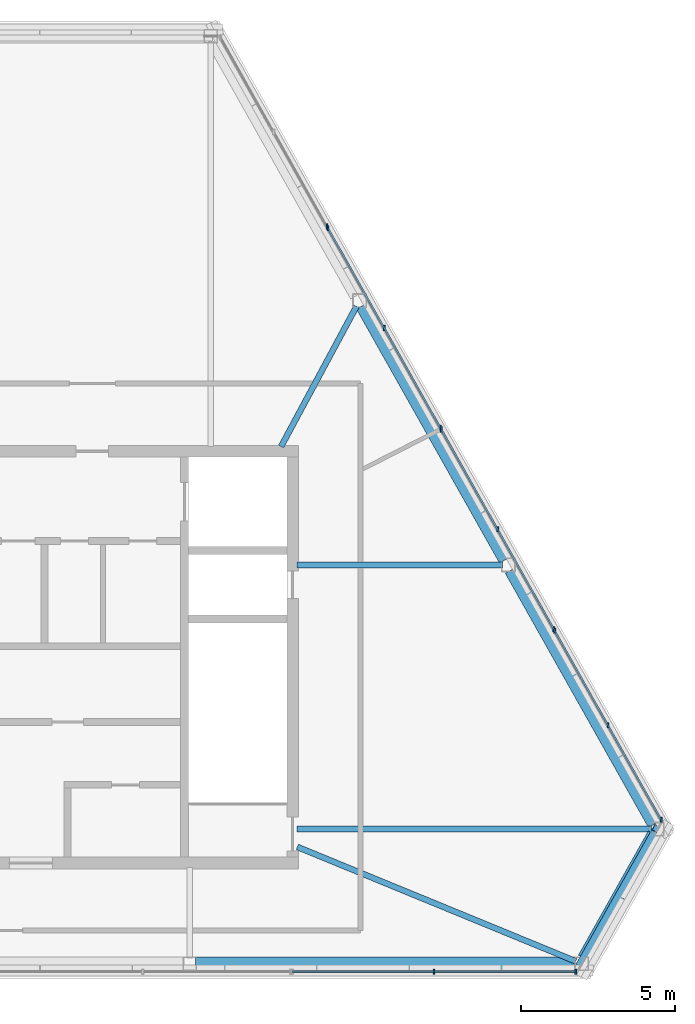
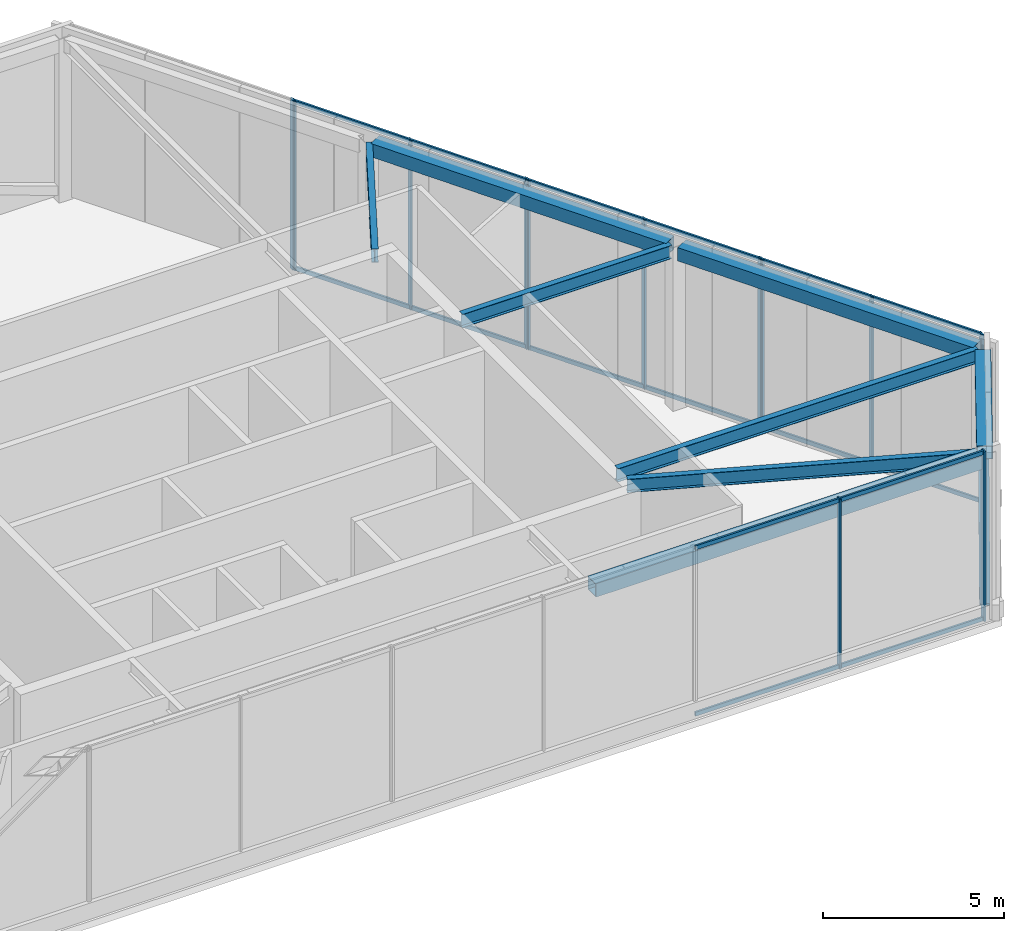
# One storey, part 5 of 11: 21 members, 8 beams, 5 elements without a shape of their own.
"""IFC4 building model written with IfcOpenShell, lengths in metres."""

from ifc_helpers import new_model, si_unit, direction, frame, origin, origin_2d, place, context, subcontext, project, spatial, rectangle, hollow_rectangle, i_section, extrude, material, layer, layer_set, material_profile, profile_set, type_object, element, aggregate, save


model = new_model("IFC4")

# Units and contexts
model_context = context("Model", 3, precision=1e-05, world=origin(), true_north=direction((0.0, 1.0)))
body_context = subcontext(model_context, "Body", "Model", "MODEL_VIEW")
ifc_project = project(units=[si_unit("LENGTHUNIT", "METRE"), si_unit("AREAUNIT", "SQUARE_METRE"), si_unit("VOLUMEUNIT", "CUBIC_METRE"), si_unit("PLANEANGLEUNIT", "RADIAN"), si_unit("MASSUNIT", "GRAM", prefix="KILO")], contexts=[model_context])

# Site, building, storey
site_placement = place(None, origin())
site = spatial("IfcSite", under=ifc_project, at=site_placement, CompositionType="ELEMENT")
building_placement = place(site_placement, origin())
building = spatial("IfcBuilding", under=site, at=building_placement, Name="Kavelnor Concourse Tower", CompositionType="ELEMENT")
storey_placement = place(building_placement, frame((0.0, 0.0, 309.949951171875)))
storey = spatial("IfcBuildingStorey", under=building, at=storey_placement, Name="L78", CompositionType="ELEMENT", Elevation=309.949951171875)

# Beams
ifc_material_1 = material(Name="Steel Grade 350", Category="steel")
ifc_material_profile_1 = material_profile(ifc_material_1, hollow_rectangle(XDim=0.449951171875, YDim=0.449951171875, WallThickness=0.02197265625, at=origin_2d()), Name="RHS 450x450x22")
ifc_profile_set_1 = profile_set([ifc_material_profile_1], Name="Steel Grade 350")
beam_type_1 = type_object("IfcBeamType", Name="BM-CROWN-RING-450", PredefinedType="BEAM", material=ifc_profile_set_1)
beam_1_placement = place(storey_placement, frame((44.556396484375, 6.135009765625, 5.295166015625), z_axis=(1.0, 0.0, 0.0), x_axis=(0.0, 1.0, 0.0)))
element("IfcBeam", 1, at=beam_1_placement, inside=storey, type_object=beam_type_1, Name="L78 Crown Frame Ring Beam 07", PredefinedType="BEAM", context=body_context, shape_type="SweptSolid", body=[
    extrude(hollow_rectangle(XDim=0.449951171875, YDim=0.449951171875, WallThickness=0.02197265625, at=origin_2d()), origin(), (0.0, 0.0, 1.0), 12.353271484375),
])
beam_2_placement = place(storey_placement, frame((57.19287109375, 6.300537109375, 5.295166015625), z_axis=(0.490715989154, 0.871319584302, 0.0), x_axis=(-0.871319584302, 0.490715989154, 0.0)))
element("IfcBeam", 2, at=beam_2_placement, inside=storey, type_object=beam_type_1, Name="L78 Crown Frame Ring Beam 08", PredefinedType="BEAM", context=body_context, shape_type="SweptSolid", body=[
    extrude(hollow_rectangle(XDim=0.449951171875, YDim=0.449951171875, WallThickness=0.02197265625, at=origin_2d()), origin(), (0.0, 0.0, 1.0), 4.638427734375),
])
beam_3_placement = place(storey_placement, frame((59.468994140625, 10.673095703125, 5.295166015625), z_axis=(-0.490736882662, 0.871307817017, 0.0), x_axis=(-0.871307817017, -0.490736882662, 0.0)))
element("IfcBeam", 3, at=beam_3_placement, inside=storey, type_object=beam_type_1, Name="L78 Crown Frame Ring Beam 09", PredefinedType="BEAM", context=body_context, shape_type="SweptSolid", body=[
    extrude(hollow_rectangle(XDim=0.449951171875, YDim=0.449951171875, WallThickness=0.02197265625, at=origin_2d()), origin(), (0.0, 0.0, 1.0), 9.478271484375),
])
beam_4_placement = place(storey_placement, frame((54.63134765625, 19.2626953125, 5.295166015625), z_axis=(-0.490747896448, 0.871301613755, 0.0), x_axis=(-0.871301613755, -0.490747896448, 0.0)))
element("IfcBeam", 4, at=beam_4_placement, inside=storey, type_object=beam_type_1, Name="L78 Crown Frame Ring Beam 10", PredefinedType="BEAM", context=body_context, shape_type="SweptSolid", body=[
    extrude(hollow_rectangle(XDim=0.449951171875, YDim=0.449951171875, WallThickness=0.02197265625, at=origin_2d()), origin(), (0.0, 0.0, 1.0), 9.47802734375),
])
ifc_material_profile_2 = material_profile(ifc_material_1, i_section(OverallWidth=0.18994140625, OverallDepth=0.4541015625, WebThickness=0.008544921875, FlangeThickness=0.0126953125, at=origin_2d()), Name="460UB67")
ifc_profile_set_2 = profile_set([ifc_material_profile_2], Name="Steel Grade 350")
beam_type_2 = type_object("IfcBeamType", Name="BM-PRIMARY-460", PredefinedType="BEAM", material=ifc_profile_set_2)
beam_5_placement = place(storey_placement, frame((47.863037109375, 9.930419921875, 5.29296875), z_axis=(0.924961076242, -0.380061846858, 0.0), x_axis=(0.380061846858, 0.924961076242, 0.0)))
element("IfcBeam", 5, at=beam_5_placement, inside=storey, type_object=beam_type_2, Name="L78 Crown Frame Radial Girder F1B6", PredefinedType="BEAM", context=body_context, shape_type="SweptSolid", body=[
    extrude(i_section(OverallWidth=0.18994140625, OverallDepth=0.4541015625, WebThickness=0.008544921875, FlangeThickness=0.0126953125, at=origin_2d()), origin(), (0.0, 0.0, 1.0), 9.78271484375),
])
beam_6_placement = place(storey_placement, frame((47.860107421875, 10.507568359375, 5.29296875), z_axis=(1.0, 0.0, 0.0), x_axis=(0.0, 1.0, 0.0)))
element("IfcBeam", 6, at=beam_6_placement, inside=storey, type_object=beam_type_2, Name="L78 Crown Frame Radial Girder F2B0", PredefinedType="BEAM", context=body_context, shape_type="SweptSolid", body=[
    extrude(i_section(OverallWidth=0.18994140625, OverallDepth=0.4541015625, WebThickness=0.008544921875, FlangeThickness=0.0126953125, at=origin_2d()), origin(), (0.0, 0.0, 1.0), 11.51708984375),
])
beam_7_placement = place(storey_placement, frame((47.860107421875, 19.09716796875, 5.29296875), z_axis=(1.0, 0.0, 0.0), x_axis=(0.0, 1.0, 0.0)))
element("IfcBeam", 7, at=beam_7_placement, inside=storey, type_object=beam_type_2, Name="L78 Crown Frame Radial Girder F2B2", PredefinedType="BEAM", context=body_context, shape_type="SweptSolid", body=[
    extrude(i_section(OverallWidth=0.18994140625, OverallDepth=0.4541015625, WebThickness=0.008544921875, FlangeThickness=0.0126953125, at=origin_2d()), origin(), (0.0, 0.0, 1.0), 6.679443359375),
])
beam_8_placement = place(storey_placement, frame((47.3359375, 22.94482421875, 5.29296875), z_axis=(0.473747703751, 0.880660611808, 0.0), x_axis=(-0.880660611808, 0.473747703751, 0.0)))
element("IfcBeam", 8, at=beam_8_placement, inside=storey, type_object=beam_type_2, Name="L78 Crown Frame Radial Girder F2B4", PredefinedType="BEAM", context=body_context, shape_type="SweptSolid", body=[
    extrude(i_section(OverallWidth=0.18994140625, OverallDepth=0.4541015625, WebThickness=0.008544921875, FlangeThickness=0.0126953125, at=origin_2d()), origin(), (0.0, 0.0, 1.0), 5.1689453125),
])

# Curtain wall, members
ifc_material_2 = material(Name="Anodised aluminium 6063-T6", Category="aluminium")
ifc_layer = layer(ifc_material_2, 0.1650390625, Name="Anodised aluminium 6063-T6")
ifc_layer_set = layer_set([ifc_layer], Name="Anodised aluminium 6063-T6")
curtain_wall_type = type_object("IfcCurtainWallType", Name="CW-CROWN-SCREEN", PredefinedType="NOTDEFINED", material=ifc_layer_set)
curtain_wall_1_placement = place(storey_placement, origin())
curtain_wall_1 = element("IfcCurtainWall", 9, at=curtain_wall_1_placement, inside=storey, type_object=curtain_wall_type, Name="L78 Crown Fritted Screen Curtain Wall E3-S4", PredefinedType="NOTDEFINED")
ifc_material_profile_3 = material_profile(ifc_material_2, rectangle(XDim=0.06005859375, YDim=0.1650390625, at=origin_2d()), Name="AL-MULL 60x165")
ifc_profile_set_3 = profile_set([ifc_material_profile_3], Name="Anodised aluminium 6063-T6")
member_type_1 = type_object("IfcMemberType", Name="CW-CROWN-SCREEN-MULL", PredefinedType="MULLION", material=ifc_profile_set_3)
member_1_placement = place(storey_placement, frame((52.30517578125, 5.875, 0.0), z_axis=(0.0, 0.0, 1.0), x_axis=(1.0, 0.0, 0.0)))
member_1 = element("IfcMember", 10, at=member_1_placement, type_object=member_type_1, Name="L78 Crown Fritted Screen Curtain Wall E3-S4 Mullion 1", PredefinedType="MULLION", context=body_context, shape_type="SweptSolid", body=[
    extrude(rectangle(XDim=0.06005859375, YDim=0.1650390625, at=origin_2d()), origin(), (0.0, 0.0, 1.0), 5.72998046875),
])
member_2_placement = place(storey_placement, frame((56.91015625, 5.875, 0.0), z_axis=(0.0, 0.0, 1.0), x_axis=(1.0, 0.0, 0.0)))
member_2 = element("IfcMember", 11, at=member_2_placement, type_object=member_type_1, Name="L78 Crown Fritted Screen Curtain Wall E3-S4 Mullion 2", PredefinedType="MULLION", context=body_context, shape_type="SweptSolid", body=[
    extrude(rectangle(XDim=0.06005859375, YDim=0.1650390625, at=origin_2d()), origin(), (0.0, 0.0, 1.0), 5.72998046875),
])

curtain_wall_2_placement = place(storey_placement, origin())
curtain_wall_2 = element("IfcCurtainWall", 12, at=curtain_wall_2_placement, inside=storey, type_object=curtain_wall_type, Name="L78 Crown Fritted Screen Curtain Wall E5-S1", PredefinedType="NOTDEFINED")
member_3_placement = place(storey_placement, frame((59.69091796875, 10.80908203125, 0.0), z_axis=(0.0, 0.0, 1.0), x_axis=(1.0, 0.0, 0.0)))
member_3 = element("IfcMember", 13, at=member_3_placement, type_object=member_type_1, Name="L78 Crown Fritted Screen Curtain Wall E5-S1 Mullion 0", PredefinedType="MULLION", context=body_context, shape_type="SweptSolid", body=[
    extrude(rectangle(XDim=0.06005859375, YDim=0.1650390625, at=origin_2d()), origin(), (0.0, 0.0, 1.0), 5.72998046875),
])
member_4_placement = place(storey_placement, frame((57.960693359375, 13.881103515625, 0.0), z_axis=(0.0, 0.0, 1.0), x_axis=(1.0, 0.0, 0.0)))
member_4 = element("IfcMember", 14, at=member_4_placement, type_object=member_type_1, Name="L78 Crown Fritted Screen Curtain Wall E5-S1 Mullion 1", PredefinedType="MULLION", context=body_context, shape_type="SweptSolid", body=[
    extrude(rectangle(XDim=0.06005859375, YDim=0.1650390625, at=origin_2d()), origin(), (0.0, 0.0, 1.0), 5.72998046875),
])
member_5_placement = place(storey_placement, frame((56.23046875, 16.953125, 0.0), z_axis=(0.0, 0.0, 1.0), x_axis=(1.0, 0.0, 0.0)))
member_5 = element("IfcMember", 15, at=member_5_placement, type_object=member_type_1, Name="L78 Crown Fritted Screen Curtain Wall E5-S1 Mullion 2", PredefinedType="MULLION", context=body_context, shape_type="SweptSolid", body=[
    extrude(rectangle(XDim=0.06005859375, YDim=0.1650390625, at=origin_2d()), origin(), (0.0, 0.0, 1.0), 5.72998046875),
])

curtain_wall_3_placement = place(storey_placement, origin())
curtain_wall_3 = element("IfcCurtainWall", 16, at=curtain_wall_3_placement, inside=storey, type_object=curtain_wall_type, Name="L78 Crown Fritted Screen Curtain Wall E5-S2", PredefinedType="NOTDEFINED")
member_6_placement = place(storey_placement, frame((56.201171875, 17.00537109375, 0.0), z_axis=(0.0, 0.0, 1.0), x_axis=(1.0, 0.0, 0.0)))
member_6 = element("IfcMember", 17, at=member_6_placement, type_object=member_type_1, Name="L78 Crown Fritted Screen Curtain Wall E5-S2 Mullion 0", PredefinedType="MULLION", context=body_context, shape_type="SweptSolid", body=[
    extrude(rectangle(XDim=0.06005859375, YDim=0.1650390625, at=origin_2d()), origin(), (0.0, 0.0, 1.0), 5.72998046875),
])
member_7_placement = place(storey_placement, frame((54.372802734375, 20.251708984375, 0.0), z_axis=(0.0, 0.0, 1.0), x_axis=(1.0, 0.0, 0.0)))
member_7 = element("IfcMember", 18, at=member_7_placement, type_object=member_type_1, Name="L78 Crown Fritted Screen Curtain Wall E5-S2 Mullion 1", PredefinedType="MULLION", context=body_context, shape_type="SweptSolid", body=[
    extrude(rectangle(XDim=0.06005859375, YDim=0.1650390625, at=origin_2d()), origin(), (0.0, 0.0, 1.0), 5.72998046875),
])
member_8_placement = place(storey_placement, frame((52.54443359375, 23.497802734375, 0.0), z_axis=(0.0, 0.0, 1.0), x_axis=(1.0, 0.0, 0.0)))
member_8 = element("IfcMember", 19, at=member_8_placement, type_object=member_type_1, Name="L78 Crown Fritted Screen Curtain Wall E5-S2 Mullion 2", PredefinedType="MULLION", context=body_context, shape_type="SweptSolid", body=[
    extrude(rectangle(XDim=0.06005859375, YDim=0.1650390625, at=origin_2d()), origin(), (0.0, 0.0, 1.0), 5.72998046875),
])

curtain_wall_4_placement = place(storey_placement, origin())
curtain_wall_4 = element("IfcCurtainWall", 20, at=curtain_wall_4_placement, inside=storey, type_object=curtain_wall_type, Name="L78 Crown Fritted Screen Curtain Wall E5-S3", PredefinedType="NOTDEFINED")
member_9_placement = place(storey_placement, frame((52.514892578125, 23.550048828125, 0.0), z_axis=(0.0, 0.0, 1.0), x_axis=(1.0, 0.0, 0.0)))
member_9 = element("IfcMember", 21, at=member_9_placement, type_object=member_type_1, Name="L78 Crown Fritted Screen Curtain Wall E5-S3 Mullion 0", PredefinedType="MULLION", context=body_context, shape_type="SweptSolid", body=[
    extrude(rectangle(XDim=0.06005859375, YDim=0.1650390625, at=origin_2d()), origin(), (0.0, 0.0, 1.0), 5.72998046875),
])
member_10_placement = place(storey_placement, frame((50.686767578125, 26.79638671875, 0.0), z_axis=(0.0, 0.0, 1.0), x_axis=(1.0, 0.0, 0.0)))
member_10 = element("IfcMember", 22, at=member_10_placement, type_object=member_type_1, Name="L78 Crown Fritted Screen Curtain Wall E5-S3 Mullion 1", PredefinedType="MULLION", context=body_context, shape_type="SweptSolid", body=[
    extrude(rectangle(XDim=0.06005859375, YDim=0.1650390625, at=origin_2d()), origin(), (0.0, 0.0, 1.0), 5.72998046875),
])
member_11_placement = place(storey_placement, frame((48.8583984375, 30.04248046875, 0.0), z_axis=(0.0, 0.0, 1.0), x_axis=(1.0, 0.0, 0.0)))
member_11 = element("IfcMember", 23, at=member_11_placement, type_object=member_type_1, Name="L78 Crown Fritted Screen Curtain Wall E5-S3 Mullion 2", PredefinedType="MULLION", context=body_context, shape_type="SweptSolid", body=[
    extrude(rectangle(XDim=0.06005859375, YDim=0.1650390625, at=origin_2d()), origin(), (0.0, 0.0, 1.0), 5.72998046875),
])

# Curtain wall, member
curtain_wall_5_placement = place(storey_placement, origin())
curtain_wall_5 = element("IfcCurtainWall", 24, at=curtain_wall_5_placement, inside=storey, type_object=curtain_wall_type, Name="L78 Crown Fritted Screen Curtain Wall E5-S4", PredefinedType="NOTDEFINED")
member_12_placement = place(storey_placement, frame((48.828857421875, 30.0947265625, 0.0), z_axis=(0.0, 0.0, 1.0), x_axis=(1.0, 0.0, 0.0)))
member_12 = element("IfcMember", 25, at=member_12_placement, type_object=member_type_1, Name="L78 Crown Fritted Screen Curtain Wall E5-S4 Mullion 0", PredefinedType="MULLION", context=body_context, shape_type="SweptSolid", body=[
    extrude(rectangle(XDim=0.06005859375, YDim=0.1650390625, at=origin_2d()), origin(), (0.0, 0.0, 1.0), 5.72998046875),
])
aggregate(curtain_wall_5, [member_12])

# Member
ifc_material_profile_4 = material_profile(ifc_material_2, rectangle(XDim=0.06005859375, YDim=0.135009765625, at=origin_2d()), Name="AL-TRAN 60x135")
ifc_profile_set_4 = profile_set([ifc_material_profile_4], Name="Anodised aluminium 6063-T6")
member_type_2 = type_object("IfcMemberType", Name="CW-CROWN-SCREEN-TRAN", PredefinedType="USERDEFINED", material=ifc_profile_set_4)
member_13_placement = place(storey_placement, frame((47.7001953125, 5.875, 0.06005859375), z_axis=(1.0, 0.0, 0.0), x_axis=(0.0, 1.0, 0.0)))
member_13 = element("IfcMember", 26, at=member_13_placement, type_object=member_type_2, Name="L78 Crown Fritted Screen Curtain Wall E3-S4 Transom 0-BOT", ObjectType="TRANSOM", PredefinedType="USERDEFINED", context=body_context, shape_type="SweptSolid", body=[
    extrude(rectangle(XDim=0.06005859375, YDim=0.135009765625, at=origin_2d()), origin(), (0.0, 0.0, 1.0), 9.2099609375),
])

member_14_placement = place(storey_placement, frame((47.7001953125, 5.875, 5.670166015625), z_axis=(1.0, 0.0, 0.0), x_axis=(0.0, 1.0, 0.0)))
member_14 = element("IfcMember", 27, at=member_14_placement, type_object=member_type_2, Name="L78 Crown Fritted Screen Curtain Wall E3-S4 Transom 0-TOP", ObjectType="TRANSOM", PredefinedType="USERDEFINED", context=body_context, shape_type="SweptSolid", body=[
    extrude(rectangle(XDim=0.06005859375, YDim=0.135009765625, at=origin_2d()), origin(), (0.0, 0.0, 1.0), 9.2099609375),
])

aggregate(curtain_wall_1, [member_1, member_2, member_13, member_14])

member_15_placement = place(storey_placement, frame((59.69091796875, 10.80908203125, 0.06005859375), z_axis=(-0.49073786638, 0.871307262968, 0.0), x_axis=(-0.871307262968, -0.49073786638, 0.0)))
member_15 = element("IfcMember", 28, at=member_15_placement, type_object=member_type_2, Name="L78 Crown Fritted Screen Curtain Wall E5-S1 Transom 0-BOT", ObjectType="TRANSOM", PredefinedType="USERDEFINED", context=body_context, shape_type="SweptSolid", body=[
    extrude(rectangle(XDim=0.06005859375, YDim=0.135009765625, at=origin_2d()), origin(), (0.0, 0.0, 1.0), 7.051513671875),
])

member_16_placement = place(storey_placement, frame((59.69091796875, 10.80908203125, 5.670166015625), z_axis=(-0.49073786638, 0.871307262968, 0.0), x_axis=(-0.871307262968, -0.49073786638, 0.0)))
member_16 = element("IfcMember", 29, at=member_16_placement, type_object=member_type_2, Name="L78 Crown Fritted Screen Curtain Wall E5-S1 Transom 0-TOP", ObjectType="TRANSOM", PredefinedType="USERDEFINED", context=body_context, shape_type="SweptSolid", body=[
    extrude(rectangle(XDim=0.06005859375, YDim=0.135009765625, at=origin_2d()), origin(), (0.0, 0.0, 1.0), 7.051513671875),
])

aggregate(curtain_wall_2, [member_3, member_4, member_5, member_15, member_16])

member_17_placement = place(storey_placement, frame((56.201171875, 17.00537109375, 0.06005859375), z_axis=(-0.490744949201, 0.871303273742, 0.0), x_axis=(-0.871303273742, -0.490744949201, 0.0)))
member_17 = element("IfcMember", 30, at=member_17_placement, type_object=member_type_2, Name="L78 Crown Fritted Screen Curtain Wall E5-S2 Transom 0-BOT", ObjectType="TRANSOM", PredefinedType="USERDEFINED", context=body_context, shape_type="SweptSolid", body=[
    extrude(rectangle(XDim=0.06005859375, YDim=0.135009765625, at=origin_2d()), origin(), (0.0, 0.0, 1.0), 7.451416015625),
])

member_18_placement = place(storey_placement, frame((56.201171875, 17.00537109375, 5.670166015625), z_axis=(-0.490744949201, 0.871303273742, 0.0), x_axis=(-0.871303273742, -0.490744949201, 0.0)))
member_18 = element("IfcMember", 31, at=member_18_placement, type_object=member_type_2, Name="L78 Crown Fritted Screen Curtain Wall E5-S2 Transom 0-TOP", ObjectType="TRANSOM", PredefinedType="USERDEFINED", context=body_context, shape_type="SweptSolid", body=[
    extrude(rectangle(XDim=0.06005859375, YDim=0.135009765625, at=origin_2d()), origin(), (0.0, 0.0, 1.0), 7.451416015625),
])

aggregate(curtain_wall_3, [member_6, member_7, member_8, member_17, member_18])

member_19_placement = place(storey_placement, frame((52.514892578125, 23.550048828125, 0.06005859375), z_axis=(-0.490720074883, 0.871317283259, 0.0), x_axis=(-0.871317283259, -0.490720074883, 0.0)))
member_19 = element("IfcMember", 32, at=member_19_placement, type_object=member_type_2, Name="L78 Crown Fritted Screen Curtain Wall E5-S3 Transom 0-BOT", ObjectType="TRANSOM", PredefinedType="USERDEFINED", context=body_context, shape_type="SweptSolid", body=[
    extrude(rectangle(XDim=0.06005859375, YDim=0.135009765625, at=origin_2d()), origin(), (0.0, 0.0, 1.0), 7.451171875),
])

member_20_placement = place(storey_placement, frame((52.514892578125, 23.550048828125, 5.670166015625), z_axis=(-0.490720074883, 0.871317283259, 0.0), x_axis=(-0.871317283259, -0.490720074883, 0.0)))
member_20 = element("IfcMember", 33, at=member_20_placement, type_object=member_type_2, Name="L78 Crown Fritted Screen Curtain Wall E5-S3 Transom 0-TOP", ObjectType="TRANSOM", PredefinedType="USERDEFINED", context=body_context, shape_type="SweptSolid", body=[
    extrude(rectangle(XDim=0.06005859375, YDim=0.135009765625, at=origin_2d()), origin(), (0.0, 0.0, 1.0), 7.451171875),
])

aggregate(curtain_wall_4, [member_9, member_10, member_11, member_19, member_20])

ifc_material_profile_5 = material_profile(ifc_material_1, hollow_rectangle(XDim=0.300048828125, YDim=0.300048828125, WallThickness=0.01611328125, at=origin_2d()), Name="SHS 300x300x16")
ifc_profile_set_5 = profile_set([ifc_material_profile_5], Name="Steel Grade 350")
member_type_3 = type_object("IfcMemberType", Name="MBR-CROWN-BRACE-300", PredefinedType="BRACE", material=ifc_profile_set_5)
member_21_placement = place(storey_placement, frame((57.099609375, 6.135009765625, 0.300048828125), z_axis=(0.347801270722, 0.617539482367, 0.705463864278), x_axis=(-0.871312964664, 0.490727742857, 0.0)))
element("IfcMember", 34, at=member_21_placement, inside=storey, type_object=member_type_3, Name="L78 Crown Frame Diagonal Brace 08", PredefinedType="BRACE", context=body_context, shape_type="SweptSolid", body=[
    extrude(hollow_rectangle(XDim=0.300048828125, YDim=0.300048828125, WallThickness=0.01611328125, at=origin_2d()), origin(), (0.0, 0.0, 1.0), 7.08056640625),
])

save(model, "model.ifc")
